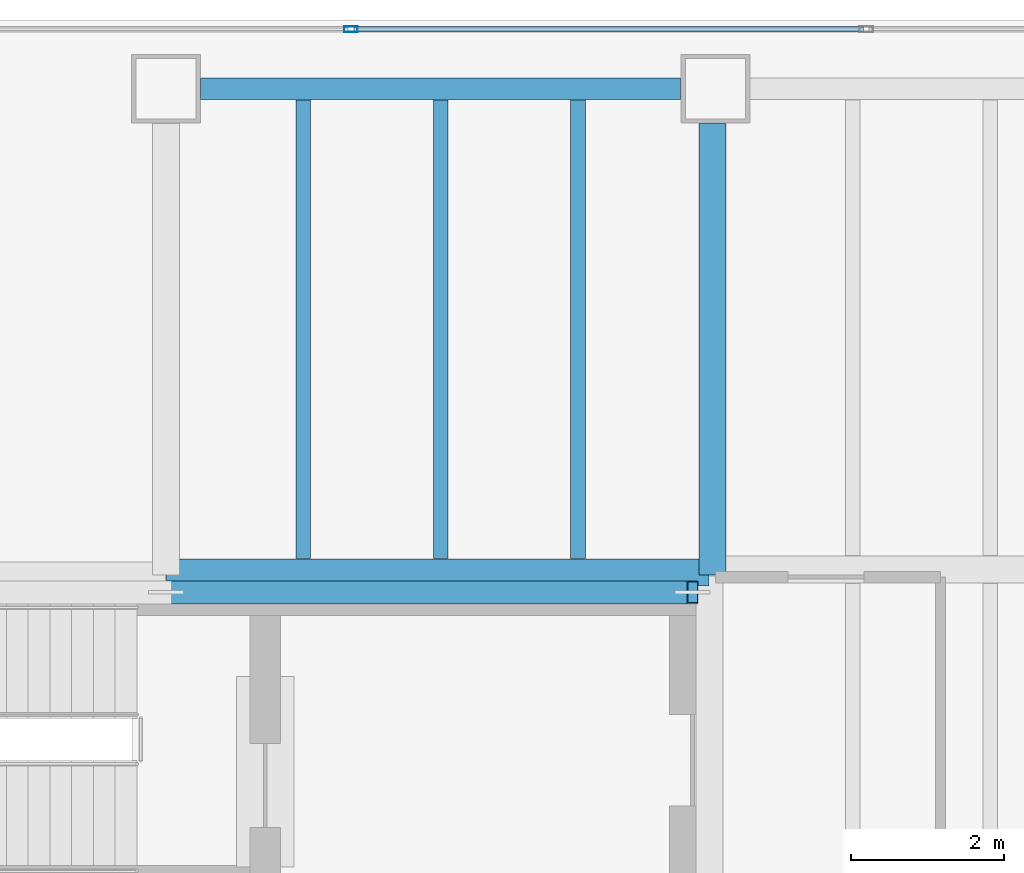
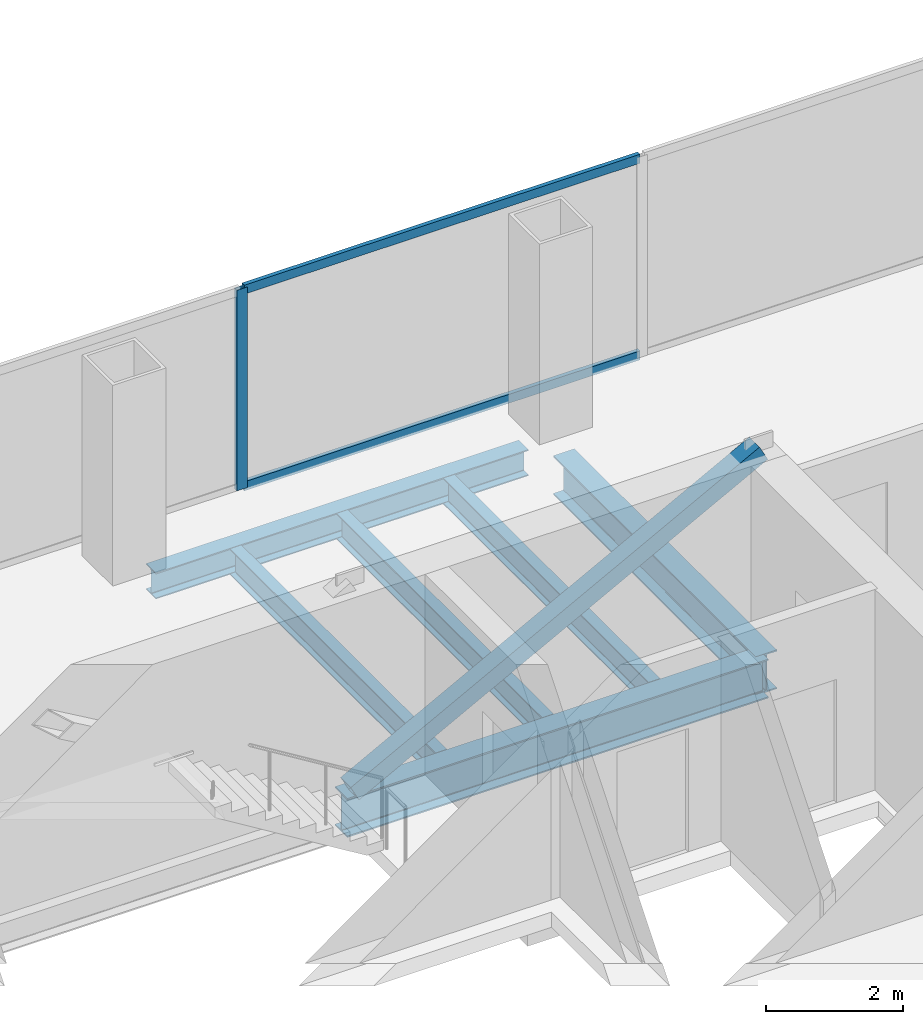
# One storey, part 17 of 24: 6 beams, 4 members, 1 element without a shape of its own.
"""IFC4 building model written with IfcOpenShell, lengths in metres."""

from ifc_helpers import new_model, si_unit, direction, frame, origin, origin_2d, place, context, subcontext, project, spatial, hollow_rectangle, i_section, extrude, material, material_profile, profile_set, type_object, element, aggregate, save


model = new_model("IFC4")

# Units and contexts
model_context = context("Model", 3, precision=1e-05, world=origin(), true_north=direction((0.0, 1.0)))
body_context = subcontext(model_context, "Body", "Model", "MODEL_VIEW")
ifc_project = project(units=[si_unit("LENGTHUNIT", "METRE"), si_unit("AREAUNIT", "SQUARE_METRE"), si_unit("VOLUMEUNIT", "CUBIC_METRE"), si_unit("PLANEANGLEUNIT", "RADIAN"), si_unit("MASSUNIT", "GRAM", prefix="KILO")], contexts=[model_context])

# Site, building, storey
site_placement = place(None, origin())
site = spatial("IfcSite", under=ifc_project, at=site_placement, CompositionType="ELEMENT")
building_placement = place(site_placement, origin())
building = spatial("IfcBuilding", under=site, at=building_placement, Name="Cobrela Telecom Tower", CompositionType="ELEMENT")
storey_placement = place(building_placement, frame((0.0, 0.0, 121.449951171875)))
storey = spatial("IfcBuildingStorey", under=building, at=storey_placement, Name="L30", CompositionType="ELEMENT", Elevation=121.449951171875)

# Beams
ifc_material_1 = material(Name="Steel ASTM A992 Grade 50", Category="steel")
ifc_material_profile_1 = material_profile(ifc_material_1, i_section(OverallWidth=0.35595703125, OverallDepth=0.696044921875, WebThickness=0.015380859375, FlangeThickness=0.024658203125, FilletRadius=0.01806640625, at=origin_2d()), Name="W27X146")
ifc_profile_set_1 = profile_set([ifc_material_profile_1], Name="Steel ASTM A992 Grade 50")
beam_type_1 = type_object("IfcBeamType", Name="BM-GIRD-05", PredefinedType="USERDEFINED", material=ifc_profile_set_1)
beam_1_placement = place(storey_placement, frame((7.205078125, 35.9599609375, -0.617919921875), z_axis=(1.0, 0.0, 0.0), x_axis=(0.0, 1.0, 0.0)))
element("IfcBeam", 1, at=beam_1_placement, inside=storey, type_object=beam_type_1, Name="L30 Primary Girder X26", ObjectType="GIRDER", PredefinedType="USERDEFINED", context=body_context, shape_type="SweptSolid", body=[
    extrude(i_section(OverallWidth=0.35595703125, OverallDepth=0.696044921875, WebThickness=0.015380859375, FlangeThickness=0.024658203125, FilletRadius=0.01806640625, at=origin_2d()), origin(), (0.0, 0.0, 1.0), 7.10986328125),
])
beam_2_placement = place(storey_placement, frame((14.360107421875, 35.925048828125, -0.617919921875), z_axis=(0.0, 1.0, 0.0), x_axis=(-1.0, 0.0, 0.0)))
element("IfcBeam", 2, at=beam_2_placement, inside=storey, type_object=beam_type_1, Name="L30 Primary Girder Y38", ObjectType="GIRDER", PredefinedType="USERDEFINED", context=body_context, shape_type="SweptSolid", body=[
    extrude(i_section(OverallWidth=0.35595703125, OverallDepth=0.696044921875, WebThickness=0.015380859375, FlangeThickness=0.024658203125, FilletRadius=0.01806640625, at=origin_2d()), origin(), (0.0, 0.0, 1.0), 5.919921875),
])
ifc_material_profile_2 = material_profile(ifc_material_1, i_section(OverallWidth=0.193115234375, OverallDepth=0.467041015625, WebThickness=0.011474609375, FlangeThickness=0.01904296875, FilletRadius=0.012939453125, at=origin_2d()), Name="W18X65")
ifc_profile_set_2 = profile_set([ifc_material_profile_2], Name="Steel ASTM A992 Grade 50")
beam_type_2 = type_object("IfcBeamType", Name="BM-JOIST-03", PredefinedType="JOIST", material=ifc_profile_set_2)
for number, where, z_axis, x_axis, name in (
    (3, (9.0, 36.14306640625, -0.50341796875), (0.0, 1.0, 0.0), (-1.0, 0.0, 0.0), "L30 Secondary Composite Floor Beam J01"),
    (4, (10.800048828125, 36.14306640625, -0.50341796875), (0.0, 1.0, 0.0), (-1.0, 0.0, 0.0), "L30 Secondary Composite Floor Beam J02"),
    (5, (12.60009765625, 36.14306640625, -0.50341796875), (0.0, 1.0, 0.0), (-1.0, 0.0, 0.0), "L30 Secondary Composite Floor Beam J03"),
):
    element("IfcBeam", number, at=place(storey_placement, frame(where, z_axis=z_axis, x_axis=x_axis)), inside=storey, type_object=beam_type_2, Name=name, PredefinedType="JOIST", context=body_context, shape_type="SweptSolid", body=[
        extrude(i_section(OverallWidth=0.193115234375, OverallDepth=0.467041015625, WebThickness=0.011474609375, FlangeThickness=0.01904296875, FilletRadius=0.012939453125, at=origin_2d()), origin(), (0.0, 0.0, 1.0), 6.010986328125),
    ])
ifc_material_profile_3 = material_profile(ifc_material_1, i_section(OverallWidth=0.281982421875, OverallDepth=0.467041015625, WebThickness=0.01220703125, FlangeThickness=0.01953125, FilletRadius=0.012939453125, at=origin_2d()), Name="W18X86")
ifc_profile_set_3 = profile_set([ifc_material_profile_3], Name="Steel ASTM A992 Grade 50")
beam_type_3 = type_object("IfcBeamType", Name="BM-SPAND-04", PredefinedType="SPANDREL", material=ifc_profile_set_3)
beam_3_placement = place(storey_placement, frame((7.655029296875, 42.300048828125, -0.50341796875), z_axis=(1.0, 0.0, 0.0), x_axis=(0.0, 1.0, 0.0)))
element("IfcBeam", 6, at=beam_3_placement, inside=storey, type_object=beam_type_3, Name="L30 Perimeter Spandrel X29", PredefinedType="SPANDREL", context=body_context, shape_type="SweptSolid", body=[
    extrude(i_section(OverallWidth=0.281982421875, OverallDepth=0.467041015625, WebThickness=0.01220703125, FlangeThickness=0.01953125, FilletRadius=0.012939453125, at=origin_2d()), origin(), (0.0, 0.0, 1.0), 6.2900390625),
])

# Curtain wall, members
ifc_material_2 = material(Name="Anodized Bronze Aluminium 6063-T6", Category="aluminium")
curtain_wall_type = type_object("IfcCurtainWallType", Name="CW-SYS-TEL", PredefinedType="USERDEFINED", material=ifc_material_2)
curtain_wall_placement = place(storey_placement, origin())
curtain_wall = element("IfcCurtainWall", 7, at=curtain_wall_placement, inside=storey, type_object=curtain_wall_type, Name="L30 Unitised Bronze Curtain Wall 07", ObjectType="UNITISED CURTAIN WALL", PredefinedType="USERDEFINED")
ifc_material_profile_4 = material_profile(ifc_material_2, hollow_rectangle(XDim=0.074951171875, YDim=0.179931640625, WallThickness=0.00390625, at=origin_2d()), Name="ALU 75x180x4")
ifc_profile_set_4 = profile_set([ifc_material_profile_4], Name="Anodized Bronze Aluminium 6063-T6")
member_type_1 = type_object("IfcMemberType", Name="CW-SYS-TEL-MUL", PredefinedType="MULLION", material=ifc_profile_set_4)
member_1_placement = place(storey_placement, frame((9.623291015625, 43.080078125, 0.0), z_axis=(0.0, 0.0, 1.0), x_axis=(0.0, 1.0, 0.0)))
member_1 = element("IfcMember", 8, at=member_1_placement, type_object=member_type_1, Name="CW-TEL mullion 2", PredefinedType="MULLION", context=body_context, shape_type="SweptSolid", body=[
    extrude(hollow_rectangle(XDim=0.074951171875, YDim=0.179931640625, WallThickness=0.00390625, at=origin_2d()), origin(), (0.0, 0.0, 1.0), 3.580078125),
])
ifc_material_profile_5 = material_profile(ifc_material_2, hollow_rectangle(XDim=0.070068359375, YDim=0.159912109375, WallThickness=0.00390625, at=origin_2d()), Name="ALU 70x160x4")
ifc_profile_set_5 = profile_set([ifc_material_profile_5], Name="Anodized Bronze Aluminium 6063-T6")
member_type_2 = type_object("IfcMemberType", Name="CW-SYS-TEL-TRN", PredefinedType="USERDEFINED", material=ifc_profile_set_5)
member_2_placement = place(storey_placement, frame((9.660888671875, 43.080078125, 0.03515625), z_axis=(1.0, 0.0, 0.0), x_axis=(0.0, 1.0, 0.0)))
member_2 = element("IfcMember", 9, at=member_2_placement, type_object=member_type_2, Name="CW-TEL transom 2.1", ObjectType="TRANSOM", PredefinedType="USERDEFINED", context=body_context, shape_type="SweptSolid", body=[
    extrude(hollow_rectangle(XDim=0.070068359375, YDim=0.159912109375, WallThickness=0.00390625, at=origin_2d()), origin(), (0.0, 0.0, 1.0), 6.67822265625),
])
member_3_placement = place(storey_placement, frame((9.660888671875, 43.080078125, 3.545166015625), z_axis=(1.0, 0.0, 0.0), x_axis=(0.0, 1.0, 0.0)))
member_3 = element("IfcMember", 10, at=member_3_placement, type_object=member_type_2, Name="CW-TEL transom 2.2", ObjectType="TRANSOM", PredefinedType="USERDEFINED", context=body_context, shape_type="SweptSolid", body=[
    extrude(hollow_rectangle(XDim=0.070068359375, YDim=0.159912109375, WallThickness=0.00390625, at=origin_2d()), origin(), (0.0, 0.0, 1.0), 6.67822265625),
])
aggregate(curtain_wall, [member_1, member_2, member_3])

# Member
ifc_material_3 = material(Name="Steel ASTM A572 Grade 50", Category="steel")
ifc_material_profile_6 = material_profile(ifc_material_3, hollow_rectangle(XDim=0.300048828125, YDim=0.300048828125, WallThickness=0.01611328125, at=origin_2d()), Name="HSS 300x300x16")
ifc_profile_set_6 = profile_set([ifc_material_profile_6], Name="Steel ASTM A572 Grade 50")
member_type_3 = type_object("IfcMemberType", Name="MBR-EXO-03", PredefinedType="BRACE", material=ifc_profile_set_6)
member_4_placement = place(storey_placement, frame((7.199951171875, 35.699951171875, -0.0400390625), z_axis=(0.883409759267, 0.0, 0.468601320134), x_axis=(0.0, 1.0, 0.0)))
element("IfcMember", 11, at=member_4_placement, inside=storey, type_object=member_type_3, Name="L30 Core Flange Steel Brace N2", PredefinedType="BRACE", context=body_context, shape_type="SweptSolid", body=[
    extrude(hollow_rectangle(XDim=0.300048828125, YDim=0.300048828125, WallThickness=0.01611328125, at=origin_2d()), origin(), (0.0, 0.0, 1.0), 7.810791015625),
])

save(model, "model.ifc")
